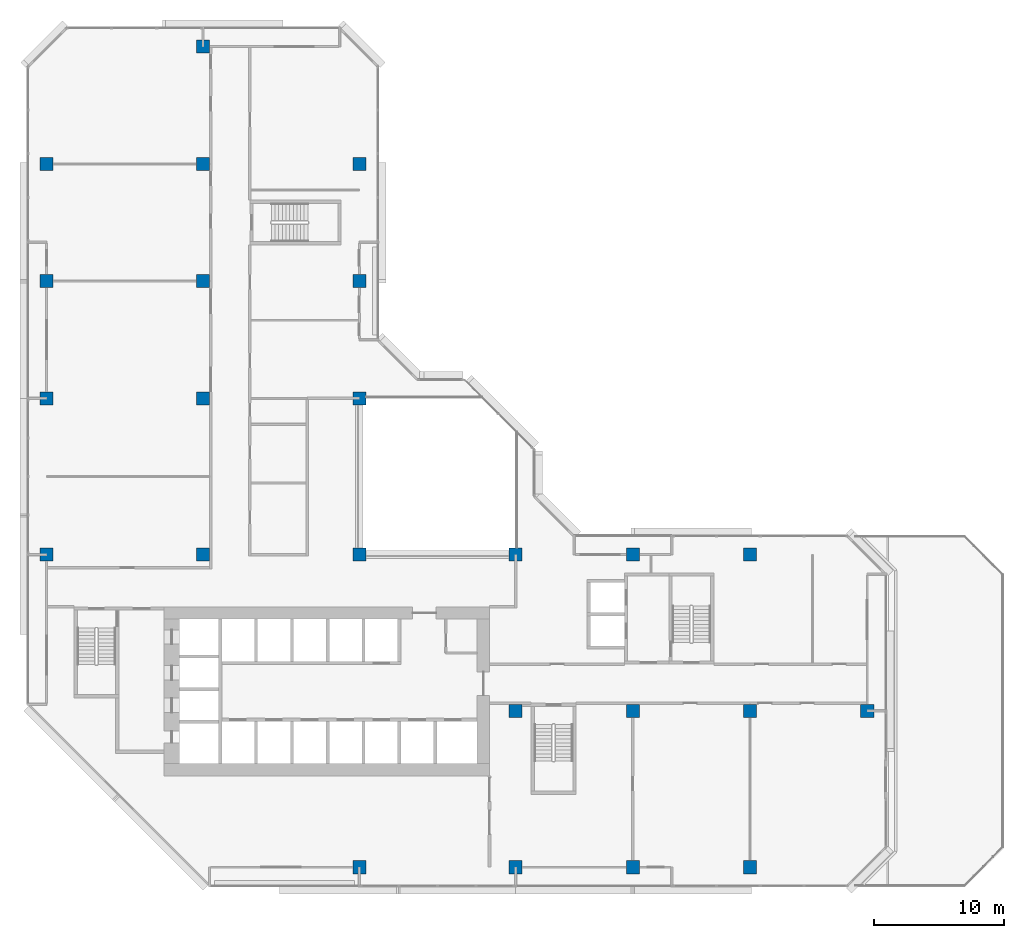
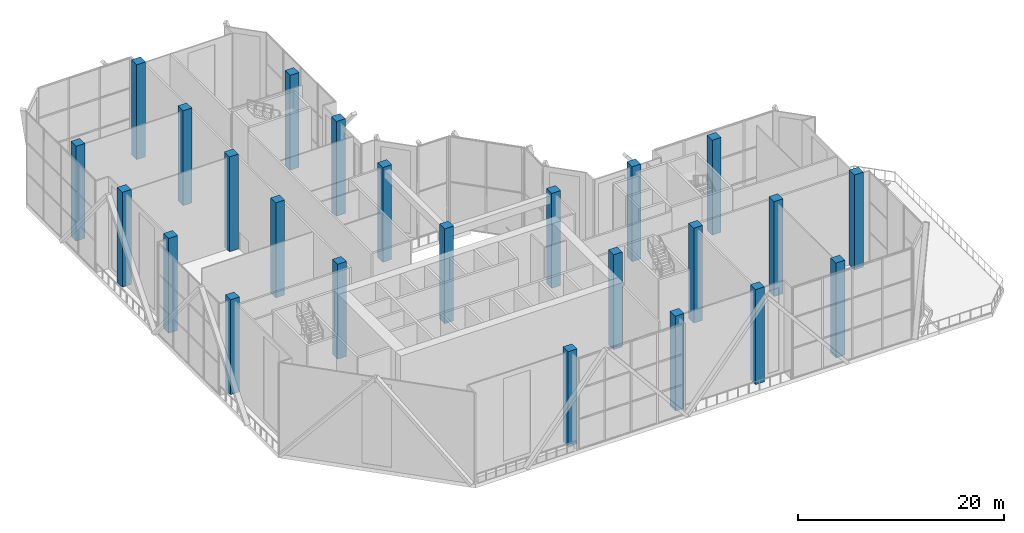
# One storey, part 1 of 21: 24 columns.
"""IFC4 building model written with IfcOpenShell, lengths in metres."""

from ifc_helpers import new_model, si_unit, direction, frame, origin, origin_2d, place, context, subcontext, project, spatial, rectangle, extrude, material, material_profile, profile_set, type_object, element, save


model = new_model("IFC4")

# Units and contexts
model_context = context("Model", 3, precision=1e-05, world=origin(), true_north=direction((0.0, 1.0)))
body_context = subcontext(model_context, "Body", "Model", "MODEL_VIEW")
ifc_project = project(units=[si_unit("LENGTHUNIT", "METRE"), si_unit("AREAUNIT", "SQUARE_METRE"), si_unit("VOLUMEUNIT", "CUBIC_METRE"), si_unit("PLANEANGLEUNIT", "RADIAN"), si_unit("MASSUNIT", "GRAM", prefix="KILO")], contexts=[model_context])

# Site, building, storey
site_placement = place(None, origin())
site = spatial("IfcSite", under=ifc_project, at=site_placement, CompositionType="ELEMENT")
building_placement = place(site_placement, origin())
building = spatial("IfcBuilding", under=site, at=building_placement, Name="Chenar Terraces", CompositionType="ELEMENT")
storey_placement = place(building_placement, frame((0.0, 0.0, 146.14990234375)))
storey = spatial("IfcBuildingStorey", under=building, at=storey_placement, Name="L34", CompositionType="ELEMENT", Elevation=146.14990234375)

# Columns
ifc_material = material(Name="Concrete C70/85", Category="concrete")
ifc_material_profile = material_profile(ifc_material, rectangle(XDim=1.0, YDim=1.0, at=origin_2d()), Name="C 1000 x 1000")
ifc_profile_set = profile_set([ifc_material_profile], Name="Concrete C70/85")
column_type = type_object("IfcColumnType", Name="Column C 1000 x 1000 Concrete C70/85", PredefinedType="COLUMN", material=ifc_profile_set)
for number, where, z_axis, x_axis, name in (
    (1, (0.0, 24.0, 0.0), (0.0, 0.0, 1.0), (1.0, 0.0, 0.0), "Column 5/G L34"),
    (2, (0.0, 36.0, 0.0), (0.0, 0.0, 1.0), (1.0, 0.0, 0.0), "Column 5/H L34"),
    (3, (0.0, 45.0, 0.0), (0.0, 0.0, 1.0), (1.0, 0.0, 0.0), "Column 5/J L34"),
):
    element("IfcColumn", number, at=place(storey_placement, frame(where, z_axis=z_axis, x_axis=x_axis)), inside=storey, type_object=column_type, Name=name, PredefinedType="COLUMN", context=body_context, shape_type="SweptSolid", body=[
        extrude(rectangle(XDim=1.0, YDim=1.0, at=origin_2d()), origin(), (0.0, 0.0, 1.0), 11.25),
    ])
column_placement = place(storey_placement, frame((0.0, 54.0, 0.0), z_axis=(0.0, 0.0, 1.0), x_axis=(1.0, 0.0, 0.0)))
element("IfcColumn", 4, at=column_placement, inside=storey, type_object=column_type, Name="Column 5/K L34", PredefinedType="COLUMN", context=body_context, shape_type="SweptSolid", body=[
    extrude(rectangle(XDim=1.0, YDim=1.0, at=origin_2d()), origin(), (0.0, 0.0, 1.0), 11.25),
])
for number, where, z_axis, x_axis, name in (
    (5, (12.0, 24.0, 0.0), (0.0, 0.0, 1.0), (1.0, 0.0, 0.0), "Column 6/G L34"),
    (6, (12.0, 36.0, 0.0), (0.0, 0.0, 1.0), (1.0, 0.0, 0.0), "Column 6/H L34"),
    (7, (12.0, 45.0, 0.0), (0.0, 0.0, 1.0), (1.0, 0.0, 0.0), "Column 6/J L34"),
    (8, (12.0, 54.0, 0.0), (0.0, 0.0, 1.0), (1.0, 0.0, 0.0), "Column 6/K L34"),
    (9, (12.0, 63.0, 0.0), (0.0, 0.0, 1.0), (1.0, 0.0, 0.0), "Column 6/L L34"),
    (10, (24.0, 0.0, 0.0), (0.0, 0.0, 1.0), (1.0, 0.0, 0.0), "Column 7/E L34"),
    (11, (24.0, 24.0, 0.0), (0.0, 0.0, 1.0), (1.0, 0.0, 0.0), "Column 7/G L34"),
    (12, (24.0, 36.0, 0.0), (0.0, 0.0, 1.0), (1.0, 0.0, 0.0), "Column 7/H L34"),
    (13, (24.0, 45.0, 0.0), (0.0, 0.0, 1.0), (1.0, 0.0, 0.0), "Column 7/J L34"),
    (14, (24.0, 54.0, 0.0), (0.0, 0.0, 1.0), (1.0, 0.0, 0.0), "Column 7/K L34"),
    (15, (36.0, 0.0, 0.0), (0.0, 0.0, 1.0), (1.0, 0.0, 0.0), "Column 8/E L34"),
    (16, (36.0, 12.0, 0.0), (0.0, 0.0, 1.0), (1.0, 0.0, 0.0), "Column 8/F L34"),
    (17, (36.0, 24.0, 0.0), (0.0, 0.0, 1.0), (1.0, 0.0, 0.0), "Column 8/G L34"),
    (18, (45.0, 0.0, 0.0), (0.0, 0.0, 1.0), (1.0, 0.0, 0.0), "Column 9/E L34"),
    (19, (45.0, 12.0, 0.0), (0.0, 0.0, 1.0), (1.0, 0.0, 0.0), "Column 9/F L34"),
    (20, (45.0, 24.0, 0.0), (0.0, 0.0, 1.0), (1.0, 0.0, 0.0), "Column 9/G L34"),
    (21, (54.0, 0.0, 0.0), (0.0, 0.0, 1.0), (1.0, 0.0, 0.0), "Column 10/E L34"),
    (22, (54.0, 12.0, 0.0), (0.0, 0.0, 1.0), (1.0, 0.0, 0.0), "Column 10/F L34"),
    (23, (54.0, 24.0, 0.0), (0.0, 0.0, 1.0), (1.0, 0.0, 0.0), "Column 10/G L34"),
    (24, (63.0, 12.0, 0.0), (0.0, 0.0, 1.0), (1.0, 0.0, 0.0), "Column 11/F L34"),
):
    element("IfcColumn", number, at=place(storey_placement, frame(where, z_axis=z_axis, x_axis=x_axis)), inside=storey, type_object=column_type, Name=name, PredefinedType="COLUMN", context=body_context, shape_type="SweptSolid", body=[
        extrude(rectangle(XDim=1.0, YDim=1.0, at=origin_2d()), origin(), (0.0, 0.0, 1.0), 11.25),
    ])

save(model, "model.ifc")
